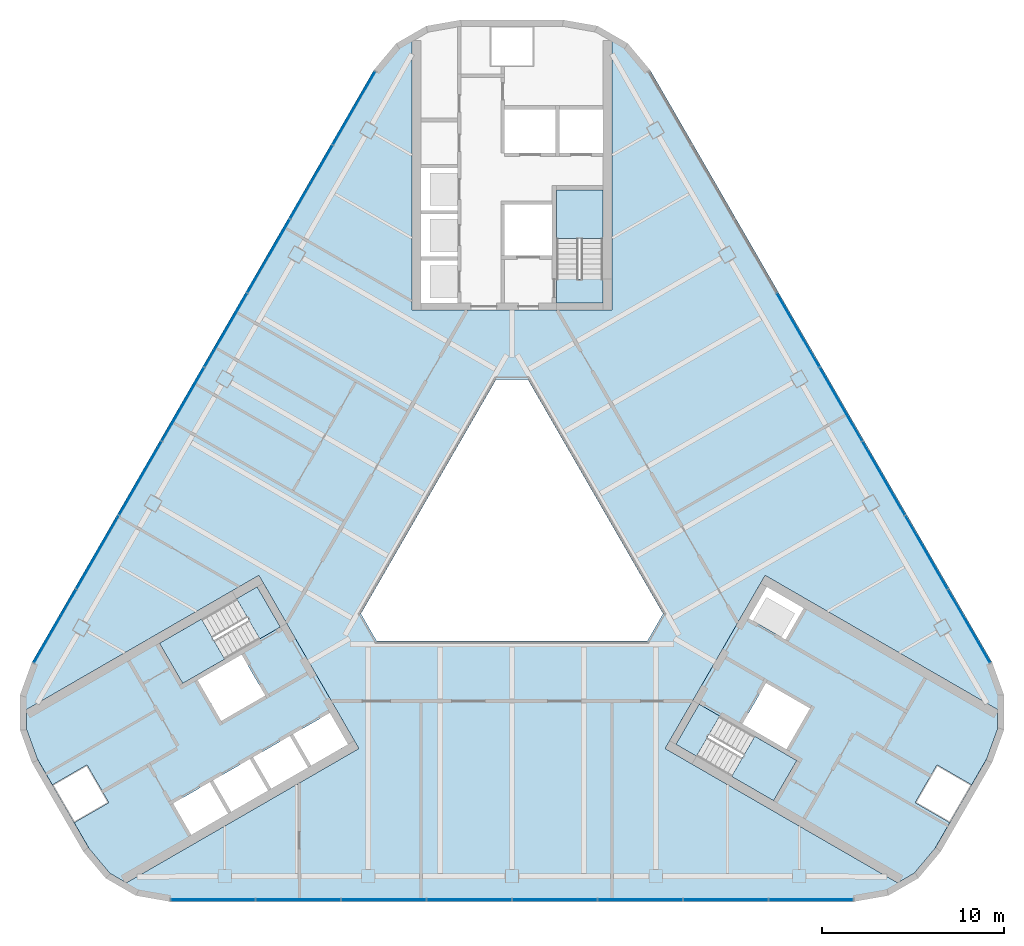
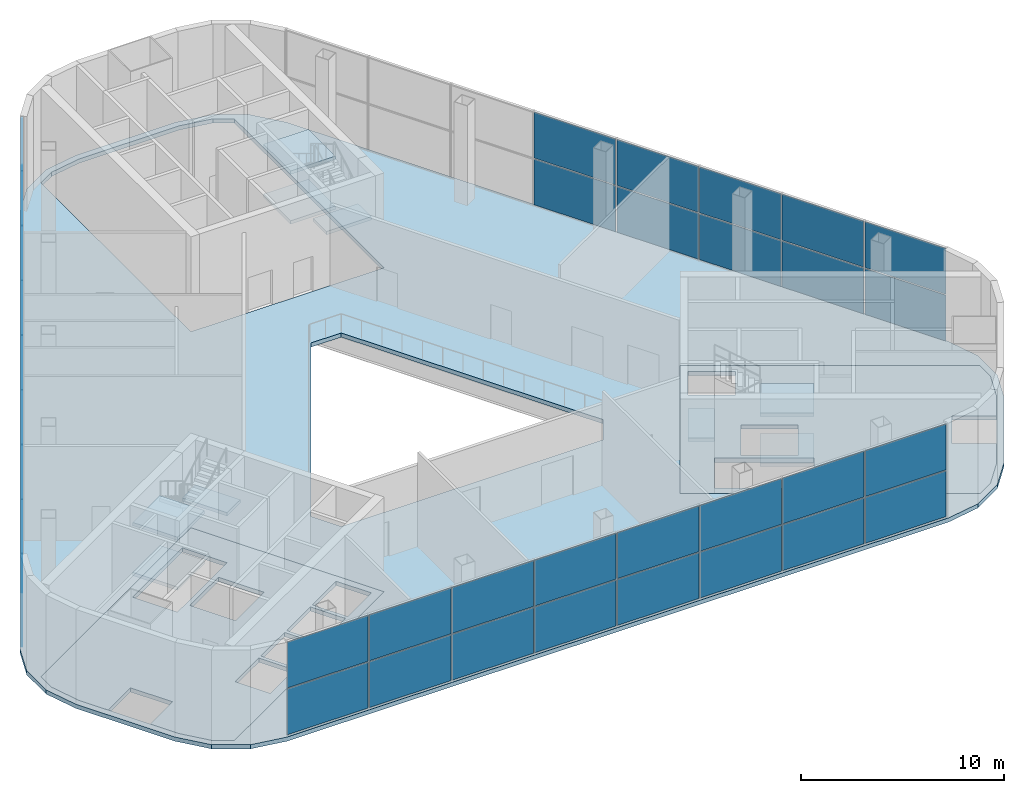
# One storey, part 6 of 14: 42 plates, 12 slabs, 6 elements without a shape of their own.
"""IFC4 building model written with IfcOpenShell, lengths in metres."""

from ifc_helpers import new_model, si_unit, direction, frame, origin, origin_2d, place, context, subcontext, project, spatial, polyline, rectangle, outline, extrude, material, layer, layer_set, type_object, element, aggregate, save


model = new_model("IFC4")

# Units and contexts
model_context = context("Model", 3, precision=1e-05, world=origin(), true_north=direction((0.0, 1.0)))
body_context = subcontext(model_context, "Body", "Model", "MODEL_VIEW")
ifc_project = project(units=[si_unit("LENGTHUNIT", "METRE"), si_unit("AREAUNIT", "SQUARE_METRE"), si_unit("VOLUMEUNIT", "CUBIC_METRE"), si_unit("PLANEANGLEUNIT", "RADIAN"), si_unit("MASSUNIT", "GRAM", prefix="KILO")], contexts=[model_context])

# Site, building, storey
site_placement = place(None, origin())
site = spatial("IfcSite", under=ifc_project, at=site_placement, CompositionType="ELEMENT")
building_placement = place(site_placement, origin())
building = spatial("IfcBuilding", under=site, at=building_placement, Name="Apuvela Tower Hotel", CompositionType="ELEMENT")
storey_placement = place(building_placement, frame((0.0, 0.0, 231.699951171875)))
storey = spatial("IfcBuildingStorey", under=building, at=storey_placement, Name="L57", CompositionType="ELEMENT", Elevation=231.699951171875)

# Slabs
ifc_material_1 = material(Name="Concrete C50/60", Category="concrete")
ifc_layer_1 = layer(ifc_material_1, 0.25)
ifc_layer_set_1 = layer_set([ifc_layer_1], Name="COR-FLOOR-250")
slab_type_1 = type_object("IfcSlabType", Name="COR-FLOOR-250", PredefinedType="FLOOR", material=ifc_layer_set_1)
slab_1_placement = place(storey_placement, frame((0.0, 0.0, -0.25)))
element("IfcSlab", 1, at=slab_1_placement, inside=storey, type_object=slab_type_1, Name="Core floor SW", PredefinedType="FLOOR", context=body_context, shape_type="SweptSolid", body=[
    extrude(outline(polyline([(-26.711181640625, -9.07080078125), (-26.711181640625, -10.123291015625), (-26.109375, -11.77734375), (-25.28173828125, -13.210693359375), (-23.37646484375, -12.11083984375), (-22.176513671875, -14.189208984375), (-24.081787109375, -15.289306640625), (-23.254150390625, -16.72265625), (-22.122802734375, -18.071044921875), (-21.211181640625, -18.59716796875), (-8.421630859375, -11.213134765625), (-13.921630859375, -1.68701171875), (-26.711181640625, -9.07080078125)]), holes=[polyline([(-10.01806640625, -9.248046875), (-9.01806640625, -10.97998046875), (-11.044677734375, -12.150146484375), (-12.044677734375, -10.418212890625), (-10.01806640625, -9.248046875)]), polyline([(-14.244384765625, -11.68798828125), (-12.2177734375, -10.51806640625), (-11.2177734375, -12.25), (-13.244384765625, -13.420166015625), (-14.244384765625, -11.68798828125)]), polyline([(-19.387451171875, -5.419921875), (-15.149169921875, -2.972900390625), (-13.874267578125, -5.18115234375), (-18.112548828125, -7.628173828125), (-19.387451171875, -5.419921875)]), polyline([(-14.869873046875, -6.044677734375), (-13.56982421875, -8.29638671875), (-15.99462890625, -9.6962890625), (-17.294677734375, -7.444580078125), (-14.869873046875, -6.044677734375)]), polyline([(-16.444091796875, -12.9580078125), (-14.41748046875, -11.7880859375), (-13.41748046875, -13.52001953125), (-15.444091796875, -14.690185546875), (-16.444091796875, -12.9580078125)]), polyline([(-18.643798828125, -14.22802734375), (-16.6171875, -13.05810546875), (-15.6171875, -14.7900390625), (-17.643798828125, -15.960205078125), (-18.643798828125, -14.22802734375)])]), origin(), (0.0, 0.0, 1.0), 0.25),
])
slab_2_placement = place(storey_placement, frame((0.0, 0.0, -0.25)))
element("IfcSlab", 2, at=slab_2_placement, inside=storey, type_object=slab_type_1, Name="Core floor SE", PredefinedType="FLOOR", context=body_context, shape_type="SweptSolid", body=[
    extrude(outline(polyline([(21.211181640625, -18.59716796875), (22.122802734375, -18.071044921875), (23.254150390625, -16.72265625), (24.081787109375, -15.289306640625), (22.176513671875, -14.189208984375), (23.37646484375, -12.11083984375), (25.28173828125, -13.210693359375), (26.109375, -11.77734375), (26.711181640625, -10.123291015625), (26.711181640625, -9.07080078125), (13.921630859375, -1.68701171875), (8.421630859375, -11.213134765625), (21.211181640625, -18.59716796875)]), holes=[polyline([(14.01806640625, -2.31982421875), (16.044677734375, -3.489990234375), (15.044677734375, -5.221923828125), (13.01806640625, -4.052001953125), (14.01806640625, -2.31982421875)]), polyline([(10.149169921875, -11.633056640625), (11.42431640625, -9.4248046875), (15.66259765625, -11.871826171875), (14.387451171875, -14.080078125), (10.149169921875, -11.633056640625)]), polyline([(12.669921875, -9.855224609375), (13.9697265625, -7.603515625), (16.394775390625, -9.003662109375), (15.0947265625, -11.25537109375), (12.669921875, -9.855224609375)])]), origin(), (0.0, 0.0, 1.0), 0.25),
])

# Stair, slabs
stair_type = type_object("IfcStairType", Name="COR-STAIR-36R", PredefinedType="HALF_TURN_STAIR", material=ifc_material_1)
stair_1_placement = place(storey_placement, origin())
stair_1 = element("IfcStair", 3, at=stair_1_placement, inside=storey, type_object=stair_type, Name="L57 Exit stair ST1", PredefinedType="HALF_TURN_STAIR")
ifc_layer_2 = layer(ifc_material_1, 0.199951171875)
ifc_layer_set_2 = layer_set([ifc_layer_2], Name="COR-LANDING-200")
slab_type_2 = type_object("IfcSlabType", Name="COR-LANDING-200", PredefinedType="LANDING", material=ifc_layer_set_2)
slab_3_placement = place(storey_placement, frame((0.0, 0.0, 1.300048828125)))
slab_3 = element("IfcSlab", 4, at=slab_3_placement, type_object=slab_type_2, Name="ST1 landing 1", PredefinedType="LANDING", context=body_context, shape_type="SweptSolid", body=[
    extrude(outline(polyline([(5.0, 16.833984375), (5.0, 19.5), (2.449951171875, 19.5), (2.449951171875, 16.833984375), (5.0, 16.833984375)])), origin(), (0.0, 0.0, 1.0), 0.199951171875),
])
slab_4_placement = place(storey_placement, frame((0.0, 0.0, 2.800048828125)))
slab_4 = element("IfcSlab", 5, at=slab_4_placement, type_object=slab_type_2, Name="ST1 landing 2", PredefinedType="LANDING", context=body_context, shape_type="SweptSolid", body=[
    extrude(outline(polyline([(5.0, 13.300048828125), (5.0, 14.60595703125), (2.449951171875, 14.60595703125), (2.449951171875, 13.300048828125), (5.0, 13.300048828125)])), origin(), (0.0, 0.0, 1.0), 0.199951171875),
])
slab_5_placement = place(storey_placement, frame((0.0, 0.0, 4.300048828125)))
slab_5 = element("IfcSlab", 6, at=slab_5_placement, type_object=slab_type_2, Name="ST1 landing 3", PredefinedType="LANDING", context=body_context, shape_type="SweptSolid", body=[
    extrude(outline(polyline([(5.0, 16.833984375), (5.0, 19.5), (2.449951171875, 19.5), (2.449951171875, 16.833984375), (5.0, 16.833984375)])), origin(), (0.0, 0.0, 1.0), 0.199951171875),
])
aggregate(stair_1, [slab_3, slab_4, slab_5])

stair_2_placement = place(storey_placement, origin())
stair_2 = element("IfcStair", 7, at=stair_2_placement, inside=storey, type_object=stair_type, Name="L57 Exit stair ST2", PredefinedType="HALF_TURN_STAIR")
slab_6_placement = place(storey_placement, frame((0.0, 0.0, 1.300048828125)))
slab_6 = element("IfcSlab", 8, at=slab_6_placement, type_object=slab_type_2, Name="ST2 landing 1", PredefinedType="LANDING", context=body_context, shape_type="SweptSolid", body=[
    extrude(outline(polyline([(-17.07861328125, -4.0869140625), (-19.387451171875, -5.419921875), (-18.112548828125, -7.628173828125), (-15.8037109375, -6.295166015625), (-17.07861328125, -4.0869140625)])), origin(), (0.0, 0.0, 1.0), 0.199951171875),
])
slab_7_placement = place(storey_placement, frame((0.0, 0.0, 2.800048828125)))
slab_7 = element("IfcSlab", 9, at=slab_7_placement, type_object=slab_type_2, Name="ST2 landing 2", PredefinedType="LANDING", context=body_context, shape_type="SweptSolid", body=[
    extrude(outline(polyline([(-14.01806640625, -2.31982421875), (-15.149169921875, -2.972900390625), (-13.874267578125, -5.18115234375), (-12.7431640625, -4.5283203125), (-14.01806640625, -2.31982421875)])), origin(), (0.0, 0.0, 1.0), 0.199951171875),
])
slab_8_placement = place(storey_placement, frame((0.0, 0.0, 4.300048828125)))
slab_8 = element("IfcSlab", 10, at=slab_8_placement, type_object=slab_type_2, Name="ST2 landing 3", PredefinedType="LANDING", context=body_context, shape_type="SweptSolid", body=[
    extrude(outline(polyline([(-17.07861328125, -4.0869140625), (-19.387451171875, -5.419921875), (-18.112548828125, -7.628173828125), (-15.8037109375, -6.295166015625), (-17.07861328125, -4.0869140625)])), origin(), (0.0, 0.0, 1.0), 0.199951171875),
])
aggregate(stair_2, [slab_6, slab_7, slab_8])

stair_3_placement = place(storey_placement, origin())
stair_3 = element("IfcStair", 11, at=stair_3_placement, inside=storey, type_object=stair_type, Name="L57 Exit stair ST3", PredefinedType="HALF_TURN_STAIR")
slab_9_placement = place(storey_placement, frame((0.0, 0.0, 1.300048828125)))
slab_9 = element("IfcSlab", 12, at=slab_9_placement, type_object=slab_type_2, Name="ST3 landing 1", PredefinedType="LANDING", context=body_context, shape_type="SweptSolid", body=[
    extrude(outline(polyline([(12.07861328125, -12.7470703125), (14.387451171875, -14.080078125), (15.66259765625, -11.871826171875), (13.353759765625, -10.538818359375), (12.07861328125, -12.7470703125)])), origin(), (0.0, 0.0, 1.0), 0.199951171875),
])
slab_10_placement = place(storey_placement, frame((0.0, 0.0, 2.800048828125)))
slab_10 = element("IfcSlab", 13, at=slab_10_placement, type_object=slab_type_2, Name="ST3 landing 2", PredefinedType="LANDING", context=body_context, shape_type="SweptSolid", body=[
    extrude(outline(polyline([(9.01806640625, -10.980224609375), (10.149169921875, -11.633056640625), (11.424072265625, -9.4248046875), (10.293212890625, -8.771728515625), (9.01806640625, -10.980224609375)])), origin(), (0.0, 0.0, 1.0), 0.199951171875),
])
slab_11_placement = place(storey_placement, frame((0.0, 0.0, 4.300048828125)))
slab_11 = element("IfcSlab", 14, at=slab_11_placement, type_object=slab_type_2, Name="ST3 landing 3", PredefinedType="LANDING", context=body_context, shape_type="SweptSolid", body=[
    extrude(outline(polyline([(12.07861328125, -12.7470703125), (14.387451171875, -14.080078125), (15.66259765625, -11.871826171875), (13.353759765625, -10.538818359375), (12.07861328125, -12.7470703125)])), origin(), (0.0, 0.0, 1.0), 0.199951171875),
])
aggregate(stair_3, [slab_9, slab_10, slab_11])

# Curtain wall, plates
ifc_material_2 = material(Name="Aluminium 6063-T6, dark bronze anodised", Category="aluminium")
ifc_layer_3 = layer(ifc_material_2, 0.199951171875)
ifc_layer_set_3 = layer_set([ifc_layer_3], Name="ENV-CW-S")
curtain_wall_type = type_object("IfcCurtainWallType", Name="ENV-CW-S", PredefinedType="NOTDEFINED", material=ifc_layer_set_3)
curtain_wall_1_placement = place(storey_placement, origin())
curtain_wall_1 = element("IfcCurtainWall", 15, at=curtain_wall_1_placement, inside=storey, type_object=curtain_wall_type, Name="Curtain wall CW-S S L57", PredefinedType="NOTDEFINED")
ifc_material_3 = material(Name="Glass, dark tinted laminated insulated glazing unit", Category="glass")
ifc_layer_4 = layer(ifc_material_3, 0.0400390625)
ifc_layer_set_4 = layer_set([ifc_layer_4], Name="ENV-PANEL-IGU-40")
plate_type = type_object("IfcPlateType", Name="ENV-PANEL-IGU-40", PredefinedType="CURTAIN_PANEL", material=ifc_layer_set_4)
plate_1_placement = place(storey_placement, frame((-16.447509765625, -19.530029296875, 0.065185546875), z_axis=(0.0, 0.0, 1.0), x_axis=(1.0, 0.0, 0.0)))
plate_1 = element("IfcPlate", 16, at=plate_1_placement, type_object=plate_type, Name="CW-S panel 1.1", PredefinedType="CURTAIN_PANEL", context=body_context, shape_type="SweptSolid", body=[
    extrude(rectangle(XDim=4.6064453125, YDim=0.0400390625, at=origin_2d()), origin(), (0.0, 0.0, 1.0), 2.75244140625),
])
plate_2_placement = place(storey_placement, frame((-16.447509765625, -19.530029296875, 2.882568359375), z_axis=(0.0, 0.0, 1.0), x_axis=(1.0, 0.0, 0.0)))
plate_2 = element("IfcPlate", 17, at=plate_2_placement, type_object=plate_type, Name="CW-S panel 1.2", PredefinedType="CURTAIN_PANEL", context=body_context, shape_type="SweptSolid", body=[
    extrude(rectangle(XDim=4.6064453125, YDim=0.0400390625, at=origin_2d()), origin(), (0.0, 0.0, 1.0), 2.75244140625),
])
plate_3_placement = place(storey_placement, frame((-11.759765625, -19.530029296875, 0.065185546875), z_axis=(0.0, 0.0, 1.0), x_axis=(1.0, 0.0, 0.0)))
plate_3 = element("IfcPlate", 18, at=plate_3_placement, type_object=plate_type, Name="CW-S panel 2.1", PredefinedType="CURTAIN_PANEL", context=body_context, shape_type="SweptSolid", body=[
    extrude(rectangle(XDim=4.638916015625, YDim=0.0400390625, at=origin_2d()), origin(), (0.0, 0.0, 1.0), 2.75244140625),
])
plate_4_placement = place(storey_placement, frame((-11.759765625, -19.530029296875, 2.882568359375), z_axis=(0.0, 0.0, 1.0), x_axis=(1.0, 0.0, 0.0)))
plate_4 = element("IfcPlate", 19, at=plate_4_placement, type_object=plate_type, Name="CW-S panel 2.2", PredefinedType="CURTAIN_PANEL", context=body_context, shape_type="SweptSolid", body=[
    extrude(rectangle(XDim=4.638916015625, YDim=0.0400390625, at=origin_2d()), origin(), (0.0, 0.0, 1.0), 2.75244140625),
])
plate_5_placement = place(storey_placement, frame((-7.055908203125, -19.530029296875, 0.065185546875), z_axis=(0.0, 0.0, 1.0), x_axis=(1.0, 0.0, 0.0)))
plate_5 = element("IfcPlate", 20, at=plate_5_placement, type_object=plate_type, Name="CW-S panel 3.1", PredefinedType="CURTAIN_PANEL", context=body_context, shape_type="SweptSolid", body=[
    extrude(rectangle(XDim=4.638916015625, YDim=0.0400390625, at=origin_2d()), origin(), (0.0, 0.0, 1.0), 2.75244140625),
])
plate_6_placement = place(storey_placement, frame((-7.055908203125, -19.530029296875, 2.882568359375), z_axis=(0.0, 0.0, 1.0), x_axis=(1.0, 0.0, 0.0)))
plate_6 = element("IfcPlate", 21, at=plate_6_placement, type_object=plate_type, Name="CW-S panel 3.2", PredefinedType="CURTAIN_PANEL", context=body_context, shape_type="SweptSolid", body=[
    extrude(rectangle(XDim=4.638916015625, YDim=0.0400390625, at=origin_2d()), origin(), (0.0, 0.0, 1.0), 2.75244140625),
])
plate_7_placement = place(storey_placement, frame((-2.35205078125, -19.530029296875, 0.065185546875), z_axis=(0.0, 0.0, 1.0), x_axis=(1.0, 0.0, 0.0)))
plate_7 = element("IfcPlate", 22, at=plate_7_placement, type_object=plate_type, Name="CW-S panel 4.1", PredefinedType="CURTAIN_PANEL", context=body_context, shape_type="SweptSolid", body=[
    extrude(rectangle(XDim=4.638916015625, YDim=0.0400390625, at=origin_2d()), origin(), (0.0, 0.0, 1.0), 2.75244140625),
])
plate_8_placement = place(storey_placement, frame((-2.35205078125, -19.530029296875, 2.882568359375), z_axis=(0.0, 0.0, 1.0), x_axis=(1.0, 0.0, 0.0)))
plate_8 = element("IfcPlate", 23, at=plate_8_placement, type_object=plate_type, Name="CW-S panel 4.2", PredefinedType="CURTAIN_PANEL", context=body_context, shape_type="SweptSolid", body=[
    extrude(rectangle(XDim=4.638916015625, YDim=0.0400390625, at=origin_2d()), origin(), (0.0, 0.0, 1.0), 2.75244140625),
])
plate_9_placement = place(storey_placement, frame((2.35205078125, -19.530029296875, 0.065185546875), z_axis=(0.0, 0.0, 1.0), x_axis=(1.0, 0.0, 0.0)))
plate_9 = element("IfcPlate", 24, at=plate_9_placement, type_object=plate_type, Name="CW-S panel 5.1", PredefinedType="CURTAIN_PANEL", context=body_context, shape_type="SweptSolid", body=[
    extrude(rectangle(XDim=4.638916015625, YDim=0.0400390625, at=origin_2d()), origin(), (0.0, 0.0, 1.0), 2.75244140625),
])
plate_10_placement = place(storey_placement, frame((2.35205078125, -19.530029296875, 2.882568359375), z_axis=(0.0, 0.0, 1.0), x_axis=(1.0, 0.0, 0.0)))
plate_10 = element("IfcPlate", 25, at=plate_10_placement, type_object=plate_type, Name="CW-S panel 5.2", PredefinedType="CURTAIN_PANEL", context=body_context, shape_type="SweptSolid", body=[
    extrude(rectangle(XDim=4.638916015625, YDim=0.0400390625, at=origin_2d()), origin(), (0.0, 0.0, 1.0), 2.75244140625),
])
plate_11_placement = place(storey_placement, frame((7.055908203125, -19.530029296875, 0.065185546875), z_axis=(0.0, 0.0, 1.0), x_axis=(1.0, 0.0, 0.0)))
plate_11 = element("IfcPlate", 26, at=plate_11_placement, type_object=plate_type, Name="CW-S panel 6.1", PredefinedType="CURTAIN_PANEL", context=body_context, shape_type="SweptSolid", body=[
    extrude(rectangle(XDim=4.638916015625, YDim=0.0400390625, at=origin_2d()), origin(), (0.0, 0.0, 1.0), 2.75244140625),
])
plate_12_placement = place(storey_placement, frame((7.055908203125, -19.530029296875, 2.882568359375), z_axis=(0.0, 0.0, 1.0), x_axis=(1.0, 0.0, 0.0)))
plate_12 = element("IfcPlate", 27, at=plate_12_placement, type_object=plate_type, Name="CW-S panel 6.2", PredefinedType="CURTAIN_PANEL", context=body_context, shape_type="SweptSolid", body=[
    extrude(rectangle(XDim=4.638916015625, YDim=0.0400390625, at=origin_2d()), origin(), (0.0, 0.0, 1.0), 2.75244140625),
])
plate_13_placement = place(storey_placement, frame((11.759765625, -19.530029296875, 0.065185546875), z_axis=(0.0, 0.0, 1.0), x_axis=(1.0, 0.0, 0.0)))
plate_13 = element("IfcPlate", 28, at=plate_13_placement, type_object=plate_type, Name="CW-S panel 7.1", PredefinedType="CURTAIN_PANEL", context=body_context, shape_type="SweptSolid", body=[
    extrude(rectangle(XDim=4.638916015625, YDim=0.0400390625, at=origin_2d()), origin(), (0.0, 0.0, 1.0), 2.75244140625),
])
plate_14_placement = place(storey_placement, frame((11.759765625, -19.530029296875, 2.882568359375), z_axis=(0.0, 0.0, 1.0), x_axis=(1.0, 0.0, 0.0)))
plate_14 = element("IfcPlate", 29, at=plate_14_placement, type_object=plate_type, Name="CW-S panel 7.2", PredefinedType="CURTAIN_PANEL", context=body_context, shape_type="SweptSolid", body=[
    extrude(rectangle(XDim=4.638916015625, YDim=0.0400390625, at=origin_2d()), origin(), (0.0, 0.0, 1.0), 2.75244140625),
])
plate_15_placement = place(storey_placement, frame((16.447509765625, -19.530029296875, 0.065185546875), z_axis=(0.0, 0.0, 1.0), x_axis=(1.0, 0.0, 0.0)))
plate_15 = element("IfcPlate", 30, at=plate_15_placement, type_object=plate_type, Name="CW-S panel 8.1", PredefinedType="CURTAIN_PANEL", context=body_context, shape_type="SweptSolid", body=[
    extrude(rectangle(XDim=4.6064453125, YDim=0.0400390625, at=origin_2d()), origin(), (0.0, 0.0, 1.0), 2.75244140625),
])
plate_16_placement = place(storey_placement, frame((16.447509765625, -19.530029296875, 2.882568359375), z_axis=(0.0, 0.0, 1.0), x_axis=(1.0, 0.0, 0.0)))
plate_16 = element("IfcPlate", 31, at=plate_16_placement, type_object=plate_type, Name="CW-S panel 8.2", PredefinedType="CURTAIN_PANEL", context=body_context, shape_type="SweptSolid", body=[
    extrude(rectangle(XDim=4.6064453125, YDim=0.0400390625, at=origin_2d()), origin(), (0.0, 0.0, 1.0), 2.75244140625),
])
aggregate(curtain_wall_1, [plate_1, plate_2, plate_3, plate_4, plate_5, plate_6, plate_7, plate_8, plate_9, plate_10, plate_11, plate_12, plate_13, plate_14, plate_15, plate_16])

curtain_wall_2_placement = place(storey_placement, origin())
curtain_wall_2 = element("IfcCurtainWall", 32, at=curtain_wall_2_placement, inside=storey, type_object=curtain_wall_type, Name="Curtain wall CW-S NE L57", PredefinedType="NOTDEFINED")
plate_17_placement = place(storey_placement, frame((25.13720703125, -4.47900390625, 0.065185546875), z_axis=(0.0, 0.0, 1.0), x_axis=(-0.49999909771, 0.866025924721, 0.0)))
plate_17 = element("IfcPlate", 33, at=plate_17_placement, type_object=plate_type, Name="CW-S panel 1.1", PredefinedType="CURTAIN_PANEL", context=body_context, shape_type="SweptSolid", body=[
    extrude(rectangle(XDim=4.6064453125, YDim=0.0400390625, at=origin_2d()), origin(), (0.0, 0.0, 1.0), 2.75244140625),
])
plate_18_placement = place(storey_placement, frame((25.13720703125, -4.47900390625, 2.882568359375), z_axis=(0.0, 0.0, 1.0), x_axis=(-0.49999909771, 0.866025924721, 0.0)))
plate_18 = element("IfcPlate", 34, at=plate_18_placement, type_object=plate_type, Name="CW-S panel 1.2", PredefinedType="CURTAIN_PANEL", context=body_context, shape_type="SweptSolid", body=[
    extrude(rectangle(XDim=4.6064453125, YDim=0.0400390625, at=origin_2d()), origin(), (0.0, 0.0, 1.0), 2.75244140625),
])
plate_19_placement = place(storey_placement, frame((22.79345703125, -0.41943359375, 0.065185546875), z_axis=(0.0, 0.0, 1.0), x_axis=(-0.49999909771, 0.866025924721, 0.0)))
plate_19 = element("IfcPlate", 35, at=plate_19_placement, type_object=plate_type, Name="CW-S panel 2.1", PredefinedType="CURTAIN_PANEL", context=body_context, shape_type="SweptSolid", body=[
    extrude(rectangle(XDim=4.638916015625, YDim=0.0400390625, at=origin_2d()), origin(), (0.0, 0.0, 1.0), 2.75244140625),
])
plate_20_placement = place(storey_placement, frame((22.79345703125, -0.41943359375, 2.882568359375), z_axis=(0.0, 0.0, 1.0), x_axis=(-0.49999909771, 0.866025924721, 0.0)))
plate_20 = element("IfcPlate", 36, at=plate_20_placement, type_object=plate_type, Name="CW-S panel 2.2", PredefinedType="CURTAIN_PANEL", context=body_context, shape_type="SweptSolid", body=[
    extrude(rectangle(XDim=4.638916015625, YDim=0.0400390625, at=origin_2d()), origin(), (0.0, 0.0, 1.0), 2.75244140625),
])
plate_21_placement = place(storey_placement, frame((20.44140625, 3.654296875, 0.065185546875), z_axis=(0.0, 0.0, 1.0), x_axis=(-0.49999909771, 0.866025924721, 0.0)))
plate_21 = element("IfcPlate", 37, at=plate_21_placement, type_object=plate_type, Name="CW-S panel 3.1", PredefinedType="CURTAIN_PANEL", context=body_context, shape_type="SweptSolid", body=[
    extrude(rectangle(XDim=4.638916015625, YDim=0.0400390625, at=origin_2d()), origin(), (0.0, 0.0, 1.0), 2.75244140625),
])
plate_22_placement = place(storey_placement, frame((20.44140625, 3.654296875, 2.882568359375), z_axis=(0.0, 0.0, 1.0), x_axis=(-0.49999909771, 0.866025924721, 0.0)))
plate_22 = element("IfcPlate", 38, at=plate_22_placement, type_object=plate_type, Name="CW-S panel 3.2", PredefinedType="CURTAIN_PANEL", context=body_context, shape_type="SweptSolid", body=[
    extrude(rectangle(XDim=4.638916015625, YDim=0.0400390625, at=origin_2d()), origin(), (0.0, 0.0, 1.0), 2.75244140625),
])
plate_23_placement = place(storey_placement, frame((18.089599609375, 7.72802734375, 0.065185546875), z_axis=(0.0, 0.0, 1.0), x_axis=(-0.49999909771, 0.866025924721, 0.0)))
plate_23 = element("IfcPlate", 39, at=plate_23_placement, type_object=plate_type, Name="CW-S panel 4.1", PredefinedType="CURTAIN_PANEL", context=body_context, shape_type="SweptSolid", body=[
    extrude(rectangle(XDim=4.638916015625, YDim=0.0400390625, at=origin_2d()), origin(), (0.0, 0.0, 1.0), 2.75244140625),
])
plate_24_placement = place(storey_placement, frame((18.089599609375, 7.72802734375, 2.882568359375), z_axis=(0.0, 0.0, 1.0), x_axis=(-0.49999909771, 0.866025924721, 0.0)))
plate_24 = element("IfcPlate", 40, at=plate_24_placement, type_object=plate_type, Name="CW-S panel 4.2", PredefinedType="CURTAIN_PANEL", context=body_context, shape_type="SweptSolid", body=[
    extrude(rectangle(XDim=4.638916015625, YDim=0.0400390625, at=origin_2d()), origin(), (0.0, 0.0, 1.0), 2.75244140625),
])
plate_25_placement = place(storey_placement, frame((15.737548828125, 11.8017578125, 0.065185546875), z_axis=(0.0, 0.0, 1.0), x_axis=(-0.49999909771, 0.866025924721, 0.0)))
plate_25 = element("IfcPlate", 41, at=plate_25_placement, type_object=plate_type, Name="CW-S panel 5.1", PredefinedType="CURTAIN_PANEL", context=body_context, shape_type="SweptSolid", body=[
    extrude(rectangle(XDim=4.638916015625, YDim=0.0400390625, at=origin_2d()), origin(), (0.0, 0.0, 1.0), 2.75244140625),
])
plate_26_placement = place(storey_placement, frame((15.737548828125, 11.8017578125, 2.882568359375), z_axis=(0.0, 0.0, 1.0), x_axis=(-0.49999909771, 0.866025924721, 0.0)))
plate_26 = element("IfcPlate", 42, at=plate_26_placement, type_object=plate_type, Name="CW-S panel 5.2", PredefinedType="CURTAIN_PANEL", context=body_context, shape_type="SweptSolid", body=[
    extrude(rectangle(XDim=4.638916015625, YDim=0.0400390625, at=origin_2d()), origin(), (0.0, 0.0, 1.0), 2.75244140625),
])
aggregate(curtain_wall_2, [plate_17, plate_18, plate_19, plate_20, plate_21, plate_22, plate_23, plate_24, plate_25, plate_26])

curtain_wall_3_placement = place(storey_placement, origin())
curtain_wall_3 = element("IfcCurtainWall", 43, at=curtain_wall_3_placement, inside=storey, type_object=curtain_wall_type, Name="Curtain wall CW-S NW L57", PredefinedType="NOTDEFINED")
plate_27_placement = place(storey_placement, frame((-8.689697265625, 24.009033203125, 0.065185546875), z_axis=(0.0, 0.0, 1.0), x_axis=(-0.49999909771, -0.866025924721, 0.0)))
plate_27 = element("IfcPlate", 44, at=plate_27_placement, type_object=plate_type, Name="CW-S panel 1.1", PredefinedType="CURTAIN_PANEL", context=body_context, shape_type="SweptSolid", body=[
    extrude(rectangle(XDim=4.6064453125, YDim=0.0400390625, at=origin_2d()), origin(), (0.0, 0.0, 1.0), 2.75244140625),
])
plate_28_placement = place(storey_placement, frame((-8.689697265625, 24.009033203125, 2.882568359375), z_axis=(0.0, 0.0, 1.0), x_axis=(-0.49999909771, -0.866025924721, 0.0)))
plate_28 = element("IfcPlate", 45, at=plate_28_placement, type_object=plate_type, Name="CW-S panel 1.2", PredefinedType="CURTAIN_PANEL", context=body_context, shape_type="SweptSolid", body=[
    extrude(rectangle(XDim=4.6064453125, YDim=0.0400390625, at=origin_2d()), origin(), (0.0, 0.0, 1.0), 2.75244140625),
])
plate_29_placement = place(storey_placement, frame((-11.033447265625, 19.949462890625, 0.065185546875), z_axis=(0.0, 0.0, 1.0), x_axis=(-0.49999909771, -0.866025924721, 0.0)))
plate_29 = element("IfcPlate", 46, at=plate_29_placement, type_object=plate_type, Name="CW-S panel 2.1", PredefinedType="CURTAIN_PANEL", context=body_context, shape_type="SweptSolid", body=[
    extrude(rectangle(XDim=4.638916015625, YDim=0.0400390625, at=origin_2d()), origin(), (0.0, 0.0, 1.0), 2.75244140625),
])
plate_30_placement = place(storey_placement, frame((-11.033447265625, 19.949462890625, 2.882568359375), z_axis=(0.0, 0.0, 1.0), x_axis=(-0.49999909771, -0.866025924721, 0.0)))
plate_30 = element("IfcPlate", 47, at=plate_30_placement, type_object=plate_type, Name="CW-S panel 2.2", PredefinedType="CURTAIN_PANEL", context=body_context, shape_type="SweptSolid", body=[
    extrude(rectangle(XDim=4.638916015625, YDim=0.0400390625, at=origin_2d()), origin(), (0.0, 0.0, 1.0), 2.75244140625),
])
plate_31_placement = place(storey_placement, frame((-13.385498046875, 15.875732421875, 0.065185546875), z_axis=(0.0, 0.0, 1.0), x_axis=(-0.49999909771, -0.866025924721, 0.0)))
plate_31 = element("IfcPlate", 48, at=plate_31_placement, type_object=plate_type, Name="CW-S panel 3.1", PredefinedType="CURTAIN_PANEL", context=body_context, shape_type="SweptSolid", body=[
    extrude(rectangle(XDim=4.638916015625, YDim=0.0400390625, at=origin_2d()), origin(), (0.0, 0.0, 1.0), 2.75244140625),
])
plate_32_placement = place(storey_placement, frame((-13.385498046875, 15.875732421875, 2.882568359375), z_axis=(0.0, 0.0, 1.0), x_axis=(-0.49999909771, -0.866025924721, 0.0)))
plate_32 = element("IfcPlate", 49, at=plate_32_placement, type_object=plate_type, Name="CW-S panel 3.2", PredefinedType="CURTAIN_PANEL", context=body_context, shape_type="SweptSolid", body=[
    extrude(rectangle(XDim=4.638916015625, YDim=0.0400390625, at=origin_2d()), origin(), (0.0, 0.0, 1.0), 2.75244140625),
])
plate_33_placement = place(storey_placement, frame((-15.737548828125, 11.8017578125, 0.065185546875), z_axis=(0.0, 0.0, 1.0), x_axis=(-0.49999909771, -0.866025924721, 0.0)))
plate_33 = element("IfcPlate", 50, at=plate_33_placement, type_object=plate_type, Name="CW-S panel 4.1", PredefinedType="CURTAIN_PANEL", context=body_context, shape_type="SweptSolid", body=[
    extrude(rectangle(XDim=4.638916015625, YDim=0.0400390625, at=origin_2d()), origin(), (0.0, 0.0, 1.0), 2.75244140625),
])
plate_34_placement = place(storey_placement, frame((-15.737548828125, 11.8017578125, 2.882568359375), z_axis=(0.0, 0.0, 1.0), x_axis=(-0.49999909771, -0.866025924721, 0.0)))
plate_34 = element("IfcPlate", 51, at=plate_34_placement, type_object=plate_type, Name="CW-S panel 4.2", PredefinedType="CURTAIN_PANEL", context=body_context, shape_type="SweptSolid", body=[
    extrude(rectangle(XDim=4.638916015625, YDim=0.0400390625, at=origin_2d()), origin(), (0.0, 0.0, 1.0), 2.75244140625),
])
plate_35_placement = place(storey_placement, frame((-18.089599609375, 7.72802734375, 0.065185546875), z_axis=(0.0, 0.0, 1.0), x_axis=(-0.49999909771, -0.866025924721, 0.0)))
plate_35 = element("IfcPlate", 52, at=plate_35_placement, type_object=plate_type, Name="CW-S panel 5.1", PredefinedType="CURTAIN_PANEL", context=body_context, shape_type="SweptSolid", body=[
    extrude(rectangle(XDim=4.638916015625, YDim=0.0400390625, at=origin_2d()), origin(), (0.0, 0.0, 1.0), 2.75244140625),
])
plate_36_placement = place(storey_placement, frame((-18.089599609375, 7.72802734375, 2.882568359375), z_axis=(0.0, 0.0, 1.0), x_axis=(-0.49999909771, -0.866025924721, 0.0)))
plate_36 = element("IfcPlate", 53, at=plate_36_placement, type_object=plate_type, Name="CW-S panel 5.2", PredefinedType="CURTAIN_PANEL", context=body_context, shape_type="SweptSolid", body=[
    extrude(rectangle(XDim=4.638916015625, YDim=0.0400390625, at=origin_2d()), origin(), (0.0, 0.0, 1.0), 2.75244140625),
])
plate_37_placement = place(storey_placement, frame((-20.44140625, 3.654296875, 0.065185546875), z_axis=(0.0, 0.0, 1.0), x_axis=(-0.49999909771, -0.866025924721, 0.0)))
plate_37 = element("IfcPlate", 54, at=plate_37_placement, type_object=plate_type, Name="CW-S panel 6.1", PredefinedType="CURTAIN_PANEL", context=body_context, shape_type="SweptSolid", body=[
    extrude(rectangle(XDim=4.638916015625, YDim=0.0400390625, at=origin_2d()), origin(), (0.0, 0.0, 1.0), 2.75244140625),
])
plate_38_placement = place(storey_placement, frame((-20.44140625, 3.654296875, 2.882568359375), z_axis=(0.0, 0.0, 1.0), x_axis=(-0.49999909771, -0.866025924721, 0.0)))
plate_38 = element("IfcPlate", 55, at=plate_38_placement, type_object=plate_type, Name="CW-S panel 6.2", PredefinedType="CURTAIN_PANEL", context=body_context, shape_type="SweptSolid", body=[
    extrude(rectangle(XDim=4.638916015625, YDim=0.0400390625, at=origin_2d()), origin(), (0.0, 0.0, 1.0), 2.75244140625),
])
plate_39_placement = place(storey_placement, frame((-22.79345703125, -0.41943359375, 0.065185546875), z_axis=(0.0, 0.0, 1.0), x_axis=(-0.49999909771, -0.866025924721, 0.0)))
plate_39 = element("IfcPlate", 56, at=plate_39_placement, type_object=plate_type, Name="CW-S panel 7.1", PredefinedType="CURTAIN_PANEL", context=body_context, shape_type="SweptSolid", body=[
    extrude(rectangle(XDim=4.638916015625, YDim=0.0400390625, at=origin_2d()), origin(), (0.0, 0.0, 1.0), 2.75244140625),
])
plate_40_placement = place(storey_placement, frame((-22.79345703125, -0.41943359375, 2.882568359375), z_axis=(0.0, 0.0, 1.0), x_axis=(-0.49999909771, -0.866025924721, 0.0)))
plate_40 = element("IfcPlate", 57, at=plate_40_placement, type_object=plate_type, Name="CW-S panel 7.2", PredefinedType="CURTAIN_PANEL", context=body_context, shape_type="SweptSolid", body=[
    extrude(rectangle(XDim=4.638916015625, YDim=0.0400390625, at=origin_2d()), origin(), (0.0, 0.0, 1.0), 2.75244140625),
])
plate_41_placement = place(storey_placement, frame((-25.13720703125, -4.47900390625, 0.065185546875), z_axis=(0.0, 0.0, 1.0), x_axis=(-0.49999909771, -0.866025924721, 0.0)))
plate_41 = element("IfcPlate", 58, at=plate_41_placement, type_object=plate_type, Name="CW-S panel 8.1", PredefinedType="CURTAIN_PANEL", context=body_context, shape_type="SweptSolid", body=[
    extrude(rectangle(XDim=4.6064453125, YDim=0.0400390625, at=origin_2d()), origin(), (0.0, 0.0, 1.0), 2.75244140625),
])
plate_42_placement = place(storey_placement, frame((-25.13720703125, -4.47900390625, 2.882568359375), z_axis=(0.0, 0.0, 1.0), x_axis=(-0.49999909771, -0.866025924721, 0.0)))
plate_42 = element("IfcPlate", 59, at=plate_42_placement, type_object=plate_type, Name="CW-S panel 8.2", PredefinedType="CURTAIN_PANEL", context=body_context, shape_type="SweptSolid", body=[
    extrude(rectangle(XDim=4.6064453125, YDim=0.0400390625, at=origin_2d()), origin(), (0.0, 0.0, 1.0), 2.75244140625),
])
aggregate(curtain_wall_3, [plate_27, plate_28, plate_29, plate_30, plate_31, plate_32, plate_33, plate_34, plate_35, plate_36, plate_37, plate_38, plate_39, plate_40, plate_41, plate_42])

# Slab
ifc_material_4 = material(Name="Concrete C35/45", Category="concrete")
ifc_layer_5 = layer(ifc_material_4, 0.25)
ifc_layer_set_5 = layer_set([ifc_layer_5], Name="STR-SLAB 250 floor Concrete C35/45")
slab_type_3 = type_object("IfcSlabType", Name="STR-SLAB 250 floor Concrete C35/45", PredefinedType="FLOOR", material=ifc_layer_set_5)
slab_12_placement = place(storey_placement, frame((0.0, 0.0, -0.25)))
element("IfcSlab", 60, at=slab_12_placement, inside=storey, type_object=slab_type_3, Name="Floor slab S5 L57", PredefinedType="FLOOR", context=body_context, shape_type="SweptSolid", body=[
    extrude(outline(polyline([(7.59228515625, 26.110107421875), (6.3642578125, 27.5732421875), (4.710205078125, 28.5283203125), (2.8291015625, 28.860107421875), (-2.8291015625, 28.860107421875), (-4.710205078125, 28.5283203125), (-6.3642578125, 27.5732421875), (-7.59228515625, 26.110107421875), (-26.407958984375, -6.47998046875), (-27.061279296875, -8.27490234375), (-27.061279296875, -10.18505859375), (-26.407958984375, -11.97998046875), (-23.5791015625, -16.8798828125), (-22.351318359375, -18.34326171875), (-20.697021484375, -19.29833984375), (-18.81591796875, -19.6298828125), (18.81591796875, -19.6298828125), (20.697021484375, -19.29833984375), (22.351318359375, -18.34326171875), (23.5791015625, -16.8798828125), (26.407958984375, -11.97998046875), (27.061279296875, -10.18505859375), (27.061279296875, -8.27490234375), (26.407958984375, -6.47998046875), (7.59228515625, 26.110107421875)]), holes=[polyline([(0.865966796875, 9.10009765625), (-0.865966796875, 9.10009765625), (-8.313720703125, -3.800048828125), (-7.44775390625, -5.300048828125), (7.44775390625, -5.300048828125), (8.313720703125, -3.800048828125), (0.865966796875, 9.10009765625)]), polyline([(-5.5, 12.89990234375), (-5.5, 27.668212890625), (-4.588623046875, 28.1943359375), (-2.85498046875, 28.5), (2.85498046875, 28.5), (4.588623046875, 28.1943359375), (5.5, 27.668212890625), (5.5, 12.89990234375), (-5.5, 12.89990234375)]), polyline([(-8.421630859375, -11.213134765625), (-21.211181640625, -18.59716796875), (-22.122802734375, -18.071044921875), (-23.254150390625, -16.72265625), (-26.109375, -11.77734375), (-26.711181640625, -10.123291015625), (-26.711181640625, -9.07080078125), (-13.921630859375, -1.68701171875), (-8.421630859375, -11.213134765625)]), polyline([(13.921630859375, -1.68701171875), (26.711181640625, -9.07080078125), (26.711181640625, -10.123291015625), (26.109375, -11.77734375), (23.254150390625, -16.72265625), (22.122802734375, -18.071044921875), (21.211181640625, -18.59716796875), (8.421630859375, -11.213134765625), (13.921630859375, -1.68701171875)])]), origin(), (0.0, 0.0, 1.0), 0.25),
])

save(model, "model.ifc")
